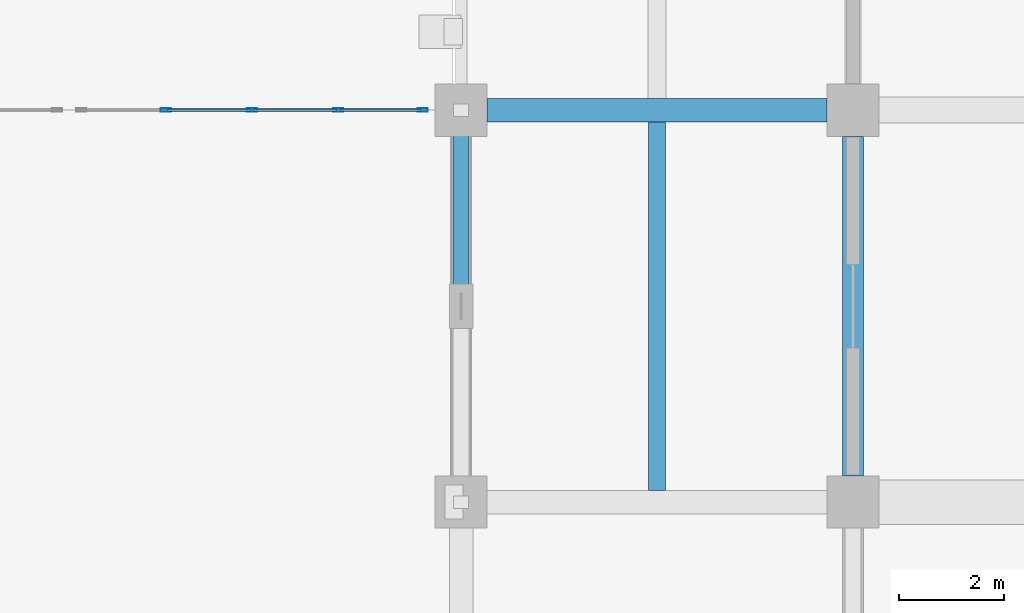
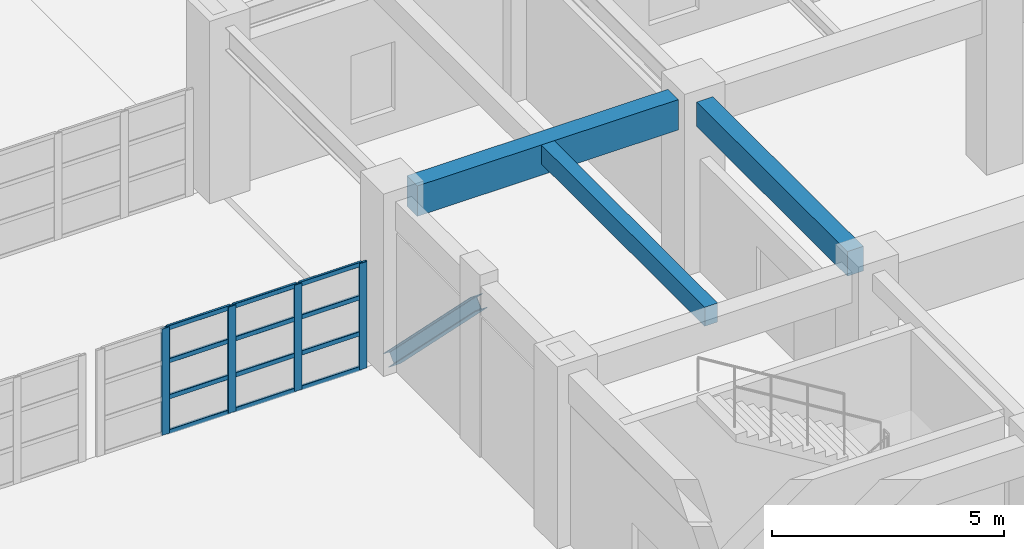
# One storey, part 36 of 122: 17 members, 3 beams, 1 element without a shape of its own.
"""IFC4 building model written with IfcOpenShell, lengths in metres."""

from ifc_helpers import new_model, si_unit, direction, frame, origin, origin_2d, place, context, subcontext, project, spatial, rectangle, hollow_rectangle, i_section, extrude, material, material_profile, profile_set, type_object, element, aggregate, save


model = new_model("IFC4")

# Units and contexts
model_context = context("Model", 3, precision=1e-05, world=origin(), true_north=direction((0.0, 1.0)))
body_context = subcontext(model_context, "Body", "Model", "MODEL_VIEW")
ifc_project = project(units=[si_unit("LENGTHUNIT", "METRE"), si_unit("AREAUNIT", "SQUARE_METRE"), si_unit("VOLUMEUNIT", "CUBIC_METRE"), si_unit("PLANEANGLEUNIT", "RADIAN"), si_unit("MASSUNIT", "GRAM", prefix="KILO")], contexts=[model_context])

# Site, building, storey
site_placement = place(None, origin())
site = spatial("IfcSite", under=ifc_project, at=site_placement, CompositionType="ELEMENT")
building_placement = place(site_placement, origin())
building = spatial("IfcBuilding", under=site, at=building_placement, Name="Qasida Concert Hall", CompositionType="ELEMENT")
storey_placement = place(building_placement, origin())
storey = spatial("IfcBuildingStorey", under=building, at=storey_placement, Name="L00", CompositionType="ELEMENT", Elevation=0.0)

# Beams
ifc_material_1 = material(Name="Concrete C40/50", Category="concrete")
ifc_material_profile_1 = material_profile(ifc_material_1, rectangle(XDim=0.39990234375, YDim=0.64990234375, at=origin_2d()), Name="RC 400x650")
ifc_profile_set_1 = profile_set([ifc_material_profile_1], Name="Concrete C40/50")
beam_type_1 = type_object("IfcBeamType", Name="BM-B1", PredefinedType="BEAM", material=ifc_profile_set_1)
beam_1_placement = place(storey_placement, frame((60.0, 68.0, 4.175048828125), z_axis=(0.0, 1.0, 0.0), x_axis=(-1.0, 0.0, 0.0)))
element("IfcBeam", 1, at=beam_1_placement, inside=storey, type_object=beam_type_1, Name="L00 girder 0414", PredefinedType="BEAM", context=body_context, shape_type="SweptSolid", body=[
    extrude(rectangle(XDim=0.39990234375, YDim=0.64990234375, at=origin_2d()), origin(), (0.0, 0.0, 1.0), 6.5),
])
ifc_material_profile_2 = material_profile(ifc_material_1, rectangle(XDim=0.449951171875, YDim=0.800048828125, at=origin_2d()), Name="RC 450x800")
ifc_profile_set_2 = profile_set([ifc_material_profile_2], Name="Concrete C40/50")
beam_type_2 = type_object("IfcBeamType", Name="BM-G2", PredefinedType="USERDEFINED", material=ifc_profile_set_2)
beam_2_placement = place(storey_placement, frame((53.0, 75.0, 4.10009765625), z_axis=(1.0, 0.0, 0.0), x_axis=(0.0, 1.0, 0.0)))
element("IfcBeam", 2, at=beam_2_placement, inside=storey, type_object=beam_type_2, Name="Primary girder 0390", ObjectType="GIRDER", PredefinedType="USERDEFINED", context=body_context, shape_type="SweptSolid", body=[
    extrude(rectangle(XDim=0.449951171875, YDim=0.800048828125, at=origin_2d()), origin(), (0.0, 0.0, 1.0), 6.5),
])
ifc_material_profile_3 = material_profile(ifc_material_1, rectangle(XDim=0.320068359375, YDim=0.5, at=origin_2d()), Name="RC 320x500")
ifc_profile_set_3 = profile_set([ifc_material_profile_3], Name="Concrete C40/50")
beam_type_3 = type_object("IfcBeamType", Name="BM-J7", PredefinedType="JOIST", material=ifc_profile_set_3)
beam_3_placement = place(storey_placement, frame((56.25, 67.72509765625, 4.25), z_axis=(0.0, 1.0, 0.0), x_axis=(-1.0, 0.0, 0.0)))
element("IfcBeam", 3, at=beam_3_placement, inside=storey, type_object=beam_type_3, Name="L00 secondary joist 0446", PredefinedType="JOIST", context=body_context, shape_type="SweptSolid", body=[
    extrude(rectangle(XDim=0.320068359375, YDim=0.5, at=origin_2d()), origin(), (0.0, 0.0, 1.0), 7.0498046875),
])

# Member
ifc_material_2 = material(Name="Steel S355J2", Category="steel")
ifc_material_profile_4 = material_profile(ifc_material_2, i_section(OverallWidth=0.300048828125, OverallDepth=0.330078125, WebThickness=0.009521484375, FlangeThickness=0.0166015625, FilletRadius=0.027099609375, at=origin_2d()), Name="HEA 340")
ifc_profile_set_4 = profile_set([ifc_material_profile_4], Name="Steel S355J2")
member_type_1 = type_object("IfcMemberType", Name="MB-BR2", PredefinedType="BRACE", material=ifc_profile_set_4)
member_1_placement = place(storey_placement, frame((52.5, 75.0, 0.0), z_axis=(0.0, -0.707106781187, 0.707106781187), x_axis=(1.0, 0.0, 0.0)))
element("IfcMember", 4, at=member_1_placement, inside=storey, type_object=member_type_1, Name="L00 chevron brace CBF-0002", PredefinedType="BRACE", context=body_context, shape_type="SweptSolid", body=[
    extrude(i_section(OverallWidth=0.300048828125, OverallDepth=0.330078125, WebThickness=0.009521484375, FlangeThickness=0.0166015625, FilletRadius=0.027099609375, at=origin_2d()), origin(), (0.0, 0.0, 1.0), 5.30322265625),
])

# Curtain wall, members
ifc_material_3 = material(Name="Architectural bronze-anodized aluminium and low-E glass", Category="aluminium")
curtain_wall_type = type_object("IfcCurtainWallType", Name="CW-08", PredefinedType="NOTDEFINED", material=ifc_material_3)
curtain_wall_placement = place(storey_placement, origin())
curtain_wall = element("IfcCurtainWall", 5, at=curtain_wall_placement, inside=storey, type_object=curtain_wall_type, Name="L00 link bridge glazing 0212", PredefinedType="NOTDEFINED")
ifc_material_4 = material(Name="Architectural bronze-anodized aluminium EN AW-6063", Category="aluminium")
ifc_material_profile_5 = material_profile(ifc_material_4, hollow_rectangle(XDim=0.06494140625, YDim=0.199951171875, WallThickness=0.0048828125, InnerFilletRadius=0.0048828125, OuterFilletRadius=0.010009765625, at=origin_2d()), Name="CWM 200x65x5")
ifc_profile_set_5 = profile_set([ifc_material_profile_5], Name="Architectural bronze-anodized aluminium EN AW-6063")
member_type_2 = type_object("IfcMemberType", Name="MB-CWM-2", PredefinedType="MULLION", material=ifc_profile_set_5)
member_2_placement = place(storey_placement, frame((46.85009765625, 75.0, 0.0), z_axis=(0.0, 0.0, 1.0), x_axis=(0.0, 1.0, 0.0)))
member_2 = element("IfcMember", 6, at=member_2_placement, type_object=member_type_2, Name="CW-08 mullion 2", PredefinedType="MULLION", context=body_context, shape_type="SweptSolid", body=[
    extrude(hollow_rectangle(XDim=0.06494140625, YDim=0.199951171875, WallThickness=0.0048828125, InnerFilletRadius=0.0048828125, OuterFilletRadius=0.010009765625, at=origin_2d()), origin(), (0.0, 0.0, 1.0), 2.800048828125),
])
member_3_placement = place(storey_placement, frame((48.5, 75.0, 0.0), z_axis=(0.0, 0.0, 1.0), x_axis=(0.0, 1.0, 0.0)))
member_3 = element("IfcMember", 7, at=member_3_placement, type_object=member_type_2, Name="CW-08 mullion 3", PredefinedType="MULLION", context=body_context, shape_type="SweptSolid", body=[
    extrude(hollow_rectangle(XDim=0.06494140625, YDim=0.199951171875, WallThickness=0.0048828125, InnerFilletRadius=0.0048828125, OuterFilletRadius=0.010009765625, at=origin_2d()), origin(), (0.0, 0.0, 1.0), 2.800048828125),
])
member_4_placement = place(storey_placement, frame((50.14990234375, 75.0, 0.0), z_axis=(0.0, 0.0, 1.0), x_axis=(0.0, 1.0, 0.0)))
member_4 = element("IfcMember", 8, at=member_4_placement, type_object=member_type_2, Name="CW-08 mullion 4", PredefinedType="MULLION", context=body_context, shape_type="SweptSolid", body=[
    extrude(hollow_rectangle(XDim=0.06494140625, YDim=0.199951171875, WallThickness=0.0048828125, InnerFilletRadius=0.0048828125, OuterFilletRadius=0.010009765625, at=origin_2d()), origin(), (0.0, 0.0, 1.0), 2.800048828125),
])
member_5_placement = place(storey_placement, frame((51.767578125, 75.0, 0.0), z_axis=(0.0, 0.0, 1.0), x_axis=(0.0, 1.0, 0.0)))
member_5 = element("IfcMember", 9, at=member_5_placement, type_object=member_type_2, Name="CW-08 mullion 5", PredefinedType="MULLION", context=body_context, shape_type="SweptSolid", body=[
    extrude(hollow_rectangle(XDim=0.06494140625, YDim=0.199951171875, WallThickness=0.0048828125, InnerFilletRadius=0.0048828125, OuterFilletRadius=0.010009765625, at=origin_2d()), origin(), (0.0, 0.0, 1.0), 2.800048828125),
])
ifc_material_profile_6 = material_profile(ifc_material_4, hollow_rectangle(XDim=0.06005859375, YDim=0.1201171875, WallThickness=0.00390625, InnerFilletRadius=0.00390625, OuterFilletRadius=0.008056640625, at=origin_2d()), Name="CWT 120x60x4")
ifc_profile_set_6 = profile_set([ifc_material_profile_6], Name="Architectural bronze-anodized aluminium EN AW-6063")
member_type_3 = type_object("IfcMemberType", Name="MB-CWT-2", PredefinedType="USERDEFINED", material=ifc_profile_set_6)
member_6_placement = place(storey_placement, frame((46.882568359375, 75.0, 0.030029296875), z_axis=(1.0, 0.0, 0.0), x_axis=(0.0, 1.0, 0.0)))
member_6 = element("IfcMember", 10, at=member_6_placement, type_object=member_type_3, Name="CW-08 transom 2.1", ObjectType="TRANSOM", PredefinedType="USERDEFINED", context=body_context, shape_type="SweptSolid", body=[
    extrude(hollow_rectangle(XDim=0.06005859375, YDim=0.1201171875, WallThickness=0.00390625, InnerFilletRadius=0.00390625, OuterFilletRadius=0.008056640625, at=origin_2d()), origin(), (0.0, 0.0, 1.0), 1.5849609375),
])
member_7_placement = place(storey_placement, frame((46.882568359375, 75.0, 0.949951171875), z_axis=(1.0, 0.0, 0.0), x_axis=(0.0, 1.0, 0.0)))
member_7 = element("IfcMember", 11, at=member_7_placement, type_object=member_type_3, Name="CW-08 transom 2.2", ObjectType="TRANSOM", PredefinedType="USERDEFINED", context=body_context, shape_type="SweptSolid", body=[
    extrude(hollow_rectangle(XDim=0.06005859375, YDim=0.1201171875, WallThickness=0.00390625, InnerFilletRadius=0.00390625, OuterFilletRadius=0.008056640625, at=origin_2d()), origin(), (0.0, 0.0, 1.0), 1.5849609375),
])
member_8_placement = place(storey_placement, frame((46.882568359375, 75.0, 1.89990234375), z_axis=(1.0, 0.0, 0.0), x_axis=(0.0, 1.0, 0.0)))
member_8 = element("IfcMember", 12, at=member_8_placement, type_object=member_type_3, Name="CW-08 transom 2.3", ObjectType="TRANSOM", PredefinedType="USERDEFINED", context=body_context, shape_type="SweptSolid", body=[
    extrude(hollow_rectangle(XDim=0.06005859375, YDim=0.1201171875, WallThickness=0.00390625, InnerFilletRadius=0.00390625, OuterFilletRadius=0.008056640625, at=origin_2d()), origin(), (0.0, 0.0, 1.0), 1.5849609375),
])
member_9_placement = place(storey_placement, frame((46.882568359375, 75.0, 2.77001953125), z_axis=(1.0, 0.0, 0.0), x_axis=(0.0, 1.0, 0.0)))
member_9 = element("IfcMember", 13, at=member_9_placement, type_object=member_type_3, Name="CW-08 transom 2.4", ObjectType="TRANSOM", PredefinedType="USERDEFINED", context=body_context, shape_type="SweptSolid", body=[
    extrude(hollow_rectangle(XDim=0.06005859375, YDim=0.1201171875, WallThickness=0.00390625, InnerFilletRadius=0.00390625, OuterFilletRadius=0.008056640625, at=origin_2d()), origin(), (0.0, 0.0, 1.0), 1.5849609375),
])
member_10_placement = place(storey_placement, frame((48.532470703125, 75.0, 0.030029296875), z_axis=(1.0, 0.0, 0.0), x_axis=(0.0, 1.0, 0.0)))
member_10 = element("IfcMember", 14, at=member_10_placement, type_object=member_type_3, Name="CW-08 transom 3.1", ObjectType="TRANSOM", PredefinedType="USERDEFINED", context=body_context, shape_type="SweptSolid", body=[
    extrude(hollow_rectangle(XDim=0.06005859375, YDim=0.1201171875, WallThickness=0.00390625, InnerFilletRadius=0.00390625, OuterFilletRadius=0.008056640625, at=origin_2d()), origin(), (0.0, 0.0, 1.0), 1.5849609375),
])
member_11_placement = place(storey_placement, frame((48.532470703125, 75.0, 0.949951171875), z_axis=(1.0, 0.0, 0.0), x_axis=(0.0, 1.0, 0.0)))
member_11 = element("IfcMember", 15, at=member_11_placement, type_object=member_type_3, Name="CW-08 transom 3.2", ObjectType="TRANSOM", PredefinedType="USERDEFINED", context=body_context, shape_type="SweptSolid", body=[
    extrude(hollow_rectangle(XDim=0.06005859375, YDim=0.1201171875, WallThickness=0.00390625, InnerFilletRadius=0.00390625, OuterFilletRadius=0.008056640625, at=origin_2d()), origin(), (0.0, 0.0, 1.0), 1.5849609375),
])
member_12_placement = place(storey_placement, frame((48.532470703125, 75.0, 1.89990234375), z_axis=(1.0, 0.0, 0.0), x_axis=(0.0, 1.0, 0.0)))
member_12 = element("IfcMember", 16, at=member_12_placement, type_object=member_type_3, Name="CW-08 transom 3.3", ObjectType="TRANSOM", PredefinedType="USERDEFINED", context=body_context, shape_type="SweptSolid", body=[
    extrude(hollow_rectangle(XDim=0.06005859375, YDim=0.1201171875, WallThickness=0.00390625, InnerFilletRadius=0.00390625, OuterFilletRadius=0.008056640625, at=origin_2d()), origin(), (0.0, 0.0, 1.0), 1.5849609375),
])
member_13_placement = place(storey_placement, frame((48.532470703125, 75.0, 2.77001953125), z_axis=(1.0, 0.0, 0.0), x_axis=(0.0, 1.0, 0.0)))
member_13 = element("IfcMember", 17, at=member_13_placement, type_object=member_type_3, Name="CW-08 transom 3.4", ObjectType="TRANSOM", PredefinedType="USERDEFINED", context=body_context, shape_type="SweptSolid", body=[
    extrude(hollow_rectangle(XDim=0.06005859375, YDim=0.1201171875, WallThickness=0.00390625, InnerFilletRadius=0.00390625, OuterFilletRadius=0.008056640625, at=origin_2d()), origin(), (0.0, 0.0, 1.0), 1.5849609375),
])
member_14_placement = place(storey_placement, frame((50.1826171875, 75.0, 0.030029296875), z_axis=(1.0, 0.0, 0.0), x_axis=(0.0, 1.0, 0.0)))
member_14 = element("IfcMember", 18, at=member_14_placement, type_object=member_type_3, Name="CW-08 transom 4.1", ObjectType="TRANSOM", PredefinedType="USERDEFINED", context=body_context, shape_type="SweptSolid", body=[
    extrude(hollow_rectangle(XDim=0.06005859375, YDim=0.1201171875, WallThickness=0.00390625, InnerFilletRadius=0.00390625, OuterFilletRadius=0.008056640625, at=origin_2d()), origin(), (0.0, 0.0, 1.0), 1.552490234375),
])
member_15_placement = place(storey_placement, frame((50.1826171875, 75.0, 0.949951171875), z_axis=(1.0, 0.0, 0.0), x_axis=(0.0, 1.0, 0.0)))
member_15 = element("IfcMember", 19, at=member_15_placement, type_object=member_type_3, Name="CW-08 transom 4.2", ObjectType="TRANSOM", PredefinedType="USERDEFINED", context=body_context, shape_type="SweptSolid", body=[
    extrude(hollow_rectangle(XDim=0.06005859375, YDim=0.1201171875, WallThickness=0.00390625, InnerFilletRadius=0.00390625, OuterFilletRadius=0.008056640625, at=origin_2d()), origin(), (0.0, 0.0, 1.0), 1.552490234375),
])
member_16_placement = place(storey_placement, frame((50.1826171875, 75.0, 1.89990234375), z_axis=(1.0, 0.0, 0.0), x_axis=(0.0, 1.0, 0.0)))
member_16 = element("IfcMember", 20, at=member_16_placement, type_object=member_type_3, Name="CW-08 transom 4.3", ObjectType="TRANSOM", PredefinedType="USERDEFINED", context=body_context, shape_type="SweptSolid", body=[
    extrude(hollow_rectangle(XDim=0.06005859375, YDim=0.1201171875, WallThickness=0.00390625, InnerFilletRadius=0.00390625, OuterFilletRadius=0.008056640625, at=origin_2d()), origin(), (0.0, 0.0, 1.0), 1.552490234375),
])
member_17_placement = place(storey_placement, frame((50.1826171875, 75.0, 2.77001953125), z_axis=(1.0, 0.0, 0.0), x_axis=(0.0, 1.0, 0.0)))
member_17 = element("IfcMember", 21, at=member_17_placement, type_object=member_type_3, Name="CW-08 transom 4.4", ObjectType="TRANSOM", PredefinedType="USERDEFINED", context=body_context, shape_type="SweptSolid", body=[
    extrude(hollow_rectangle(XDim=0.06005859375, YDim=0.1201171875, WallThickness=0.00390625, InnerFilletRadius=0.00390625, OuterFilletRadius=0.008056640625, at=origin_2d()), origin(), (0.0, 0.0, 1.0), 1.552490234375),
])
aggregate(curtain_wall, [member_2, member_3, member_4, member_5, member_6, member_7, member_8, member_9, member_10, member_11, member_12, member_13, member_14, member_15, member_16, member_17])

save(model, "model.ifc")
